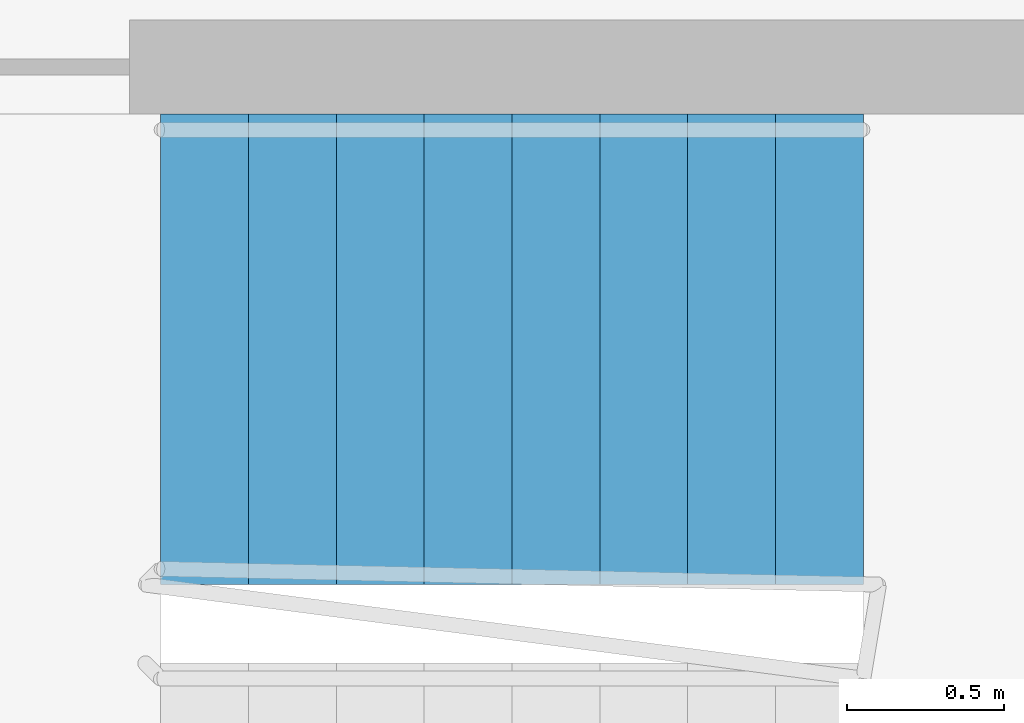
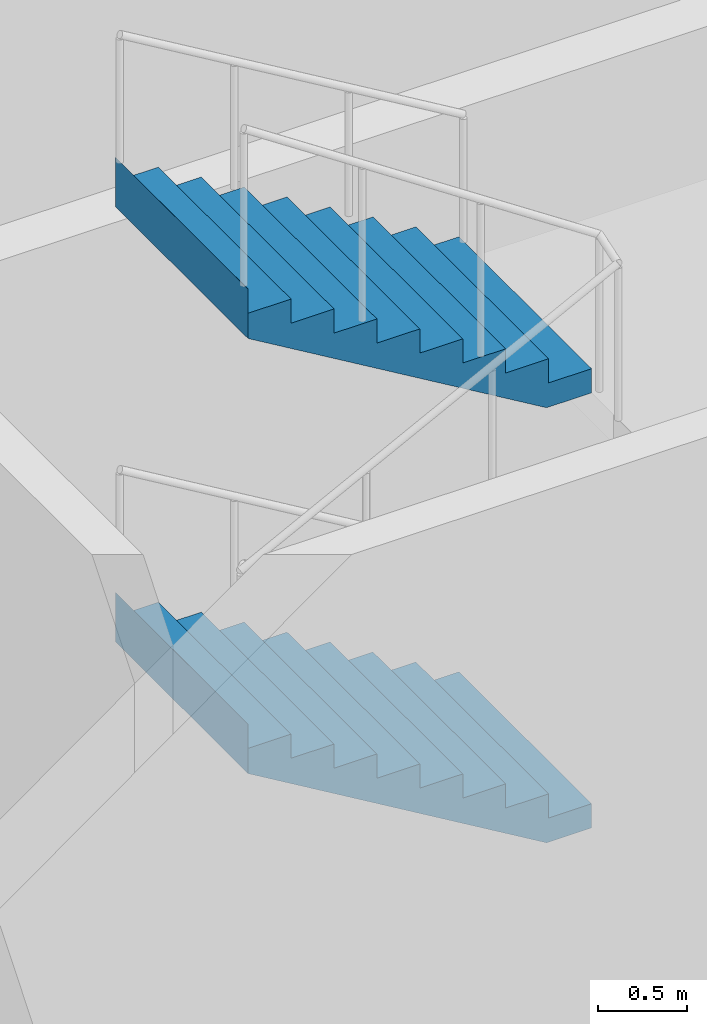
# One storey, part 23 of 27: 2 stair flights, 1 element without a shape of its own.
"""IFC4 building model written with IfcOpenShell, lengths in metres."""

from ifc_helpers import new_model, si_unit, direction, frame, origin, place, context, subcontext, project, spatial, faceted_brep, material, type_object, element, aggregate, save


model = new_model("IFC4")

# Units and contexts
model_context = context("Model", 3, precision=1e-05, world=origin(), true_north=direction((0.0, 1.0)))
body_context = subcontext(model_context, "Body", "Model", "MODEL_VIEW")
ifc_project = project(units=[si_unit("LENGTHUNIT", "METRE"), si_unit("AREAUNIT", "SQUARE_METRE"), si_unit("VOLUMEUNIT", "CUBIC_METRE"), si_unit("PLANEANGLEUNIT", "RADIAN"), si_unit("MASSUNIT", "GRAM", prefix="KILO")], contexts=[model_context])

# Site, building, storey
site_placement = place(None, origin())
site = spatial("IfcSite", under=ifc_project, at=site_placement, CompositionType="ELEMENT")
building_placement = place(site_placement, origin())
building = spatial("IfcBuilding", under=site, at=building_placement, Name="Kajstack Hotel Tower", CompositionType="ELEMENT")
storey_placement = place(building_placement, frame((0.0, 0.0, 11.0)))
storey = spatial("IfcBuildingStorey", under=building, at=storey_placement, Name="L01", CompositionType="ELEMENT", Elevation=11.0)

# Stair, stair flights
ifc_material = material(Name="Concrete C40/50", Category="concrete")
stair_type = type_object("IfcStairType", Name="Exit stair 1500", PredefinedType="HALF_TURN_STAIR", material=ifc_material)
stair_placement = place(storey_placement, origin())
stair = element("IfcStair", 1, at=stair_placement, inside=storey, type_object=stair_type, Name="L01 stair E3", PredefinedType="HALF_TURN_STAIR")
stair_flight_type = type_object("IfcStairFlightType", Name="Exit stair flight 1500", PredefinedType="STRAIGHT", material=ifc_material)
stair_flight_1_placement = place(storey_placement, frame((27.93994140625, 14.449951171875, 1.5), z_axis=(0.0, 0.0, 1.0), x_axis=(-1.0, 0.0, 0.0)))
stair_flight_1 = element("IfcStairFlight", 2, at=stair_flight_1_placement, type_object=stair_flight_type, Name="E3 flight 2", NumberOfRisers=9, NumberOfTreads=8, PredefinedType="STRAIGHT", RiserHeight=0.166666667, TreadLength=0.28, context=body_context, shape_type="Brep", body=[
    faceted_brep([(0.29345703125, -0.75, 0.0), (2.240478515625, -0.75, 1.158935546875), (2.240478515625, -0.75, 1.5), (2.239990234375, -0.75, 1.5), (2.239990234375, -0.75, 1.333251953125), (1.9599609375, -0.75, 1.333251953125), (1.9599609375, -0.75, 1.166748046875), (1.679931640625, -0.75, 1.166748046875), (1.679931640625, -0.75, 1.0), (1.39990234375, -0.75, 1.0), (1.39990234375, -0.75, 0.833251953125), (1.1201171875, -0.75, 0.833251953125), (1.1201171875, -0.75, 0.666748046875), (0.840087890625, -0.75, 0.666748046875), (0.840087890625, -0.75, 0.5), (0.56005859375, -0.75, 0.5), (0.56005859375, -0.75, 0.333251953125), (0.280029296875, -0.75, 0.333251953125), (0.280029296875, -0.75, 0.166748046875), (-0.00048828125, -0.75, 0.166748046875), (-0.00048828125, -0.75, 0.0), (-0.00048828125, 0.75, 0.0), (-0.00048828125, 0.75, 0.166748046875), (0.280029296875, 0.75, 0.166748046875), (0.280029296875, 0.75, 0.333251953125), (0.56005859375, 0.75, 0.333251953125), (0.56005859375, 0.75, 0.5), (0.840087890625, 0.75, 0.5), (0.840087890625, 0.75, 0.666748046875), (1.1201171875, 0.75, 0.666748046875), (1.1201171875, 0.75, 0.833251953125), (1.39990234375, 0.75, 0.833251953125), (1.39990234375, 0.75, 1.0), (1.679931640625, 0.75, 1.0), (1.679931640625, 0.75, 1.166748046875), (1.9599609375, 0.75, 1.166748046875), (1.9599609375, 0.75, 1.333251953125), (2.239990234375, 0.75, 1.333251953125), (2.239990234375, 0.75, 1.5), (2.240478515625, 0.75, 1.5), (2.240478515625, 0.75, 1.158935546875), (0.29345703125, 0.75, 0.0), (-0.00048828125, -0.375, 0.166748046875), (-0.00048828125, 0.0, 0.166748046875), (-0.00048828125, 0.375, 0.166748046875), (-0.00048828125, 0.375, 0.0), (-0.00048828125, 0.0, 0.0), (-0.00048828125, -0.375, 0.0), (0.280029296875, -0.375, 0.166748046875), (0.280029296875, 0.0, 0.166748046875), (0.280029296875, 0.375, 0.166748046875), (0.280029296875, -0.375, 0.333251953125), (0.280029296875, 0.0, 0.333251953125), (0.280029296875, 0.375, 0.333251953125), (0.56005859375, -0.375, 0.333251953125), (0.56005859375, 0.0, 0.333251953125), (0.56005859375, 0.375, 0.333251953125), (0.56005859375, -0.375, 0.5), (0.56005859375, 0.0, 0.5), (0.56005859375, 0.375, 0.5), (0.840087890625, -0.375, 0.5), (0.840087890625, 0.0, 0.5), (0.840087890625, 0.375, 0.5), (0.840087890625, -0.375, 0.666748046875), (0.840087890625, 0.0, 0.666748046875), (0.840087890625, 0.375, 0.666748046875), (1.1201171875, -0.375, 0.666748046875), (1.1201171875, 0.0, 0.666748046875), (1.1201171875, 0.375, 0.666748046875), (1.1201171875, -0.375, 0.833251953125), (1.1201171875, 0.0, 0.833251953125), (1.1201171875, 0.375, 0.833251953125), (1.39990234375, -0.375, 0.833251953125), (1.39990234375, 0.0, 0.833251953125), (1.39990234375, 0.375, 0.833251953125), (1.39990234375, -0.375, 1.0), (1.39990234375, 0.0, 1.0), (1.39990234375, 0.375, 1.0), (1.679931640625, -0.375, 1.0), (1.679931640625, 0.0, 1.0), (1.679931640625, 0.375, 1.0), (1.679931640625, -0.375, 1.166748046875), (1.679931640625, 0.0, 1.166748046875), (1.679931640625, 0.375, 1.166748046875), (1.9599609375, -0.375, 1.166748046875), (1.9599609375, 0.0, 1.166748046875), (1.9599609375, 0.375, 1.166748046875), (1.9599609375, -0.375, 1.333251953125), (1.9599609375, 0.0, 1.333251953125), (1.9599609375, 0.375, 1.333251953125), (2.239990234375, -0.375, 1.333251953125), (2.239990234375, 0.0, 1.333251953125), (2.239990234375, 0.375, 1.333251953125), (2.239990234375, -0.375, 1.5), (2.239990234375, 0.0, 1.5), (2.239990234375, 0.375, 1.5), (2.240478515625, -0.375, 1.5), (2.240478515625, 0.0, 1.5), (2.240478515625, 0.375, 1.5), (2.240478515625, -0.375, 1.158935546875), (2.240478515625, 0.0, 1.158935546875), (2.240478515625, 0.375, 1.158935546875), (0.29345703125, -0.375, 0.0), (0.29345703125, 0.0, 0.0), (0.29345703125, 0.375, 0.0)], [[[0, 1, 2, 3, 4, 5, 6, 7, 8, 9, 10, 11, 12, 13, 14, 15, 16, 17, 18, 19, 20]], [[21, 22, 23, 24, 25, 26, 27, 28, 29, 30, 31, 32, 33, 34, 35, 36, 37, 38, 39, 40, 41]], [[19, 42, 43, 44, 22, 21, 45, 46, 47, 20]], [[18, 48, 49, 50, 23, 22, 44, 43, 42, 19]], [[17, 51, 52, 53, 24, 23, 50, 49, 48, 18]], [[16, 54, 55, 56, 25, 24, 53, 52, 51, 17]], [[15, 57, 58, 59, 26, 25, 56, 55, 54, 16]], [[14, 60, 61, 62, 27, 26, 59, 58, 57, 15]], [[13, 63, 64, 65, 28, 27, 62, 61, 60, 14]], [[12, 66, 67, 68, 29, 28, 65, 64, 63, 13]], [[11, 69, 70, 71, 30, 29, 68, 67, 66, 12]], [[10, 72, 73, 74, 31, 30, 71, 70, 69, 11]], [[9, 75, 76, 77, 32, 31, 74, 73, 72, 10]], [[8, 78, 79, 80, 33, 32, 77, 76, 75, 9]], [[7, 81, 82, 83, 34, 33, 80, 79, 78, 8]], [[6, 84, 85, 86, 35, 34, 83, 82, 81, 7]], [[5, 87, 88, 89, 36, 35, 86, 85, 84, 6]], [[4, 90, 91, 92, 37, 36, 89, 88, 87, 5]], [[3, 93, 94, 95, 38, 37, 92, 91, 90, 4]], [[2, 96, 97, 98, 39, 38, 95, 94, 93, 3]], [[1, 99, 100, 101, 40, 39, 98, 97, 96, 2]], [[0, 102, 103, 104, 41, 40, 101, 100, 99, 1]], [[20, 47, 46, 45, 21, 41, 104, 103, 102, 0]]]),
])
stair_flight_2_placement = place(storey_placement, frame((27.93994140625, 14.449951171875, 4.5), z_axis=(0.0, 0.0, 1.0), x_axis=(-1.0, 0.0, 0.0)))
stair_flight_2 = element("IfcStairFlight", 3, at=stair_flight_2_placement, type_object=stair_flight_type, Name="E3 flight 4", NumberOfRisers=9, NumberOfTreads=8, PredefinedType="STRAIGHT", RiserHeight=0.166666667, TreadLength=0.28, context=body_context, shape_type="Brep", body=[
    faceted_brep([(0.29345703125, -0.75, 0.0), (2.240478515625, -0.75, 1.158935546875), (2.240478515625, -0.75, 1.5), (2.239990234375, -0.75, 1.5), (2.239990234375, -0.75, 1.333251953125), (1.9599609375, -0.75, 1.333251953125), (1.9599609375, -0.75, 1.166748046875), (1.679931640625, -0.75, 1.166748046875), (1.679931640625, -0.75, 1.0), (1.39990234375, -0.75, 1.0), (1.39990234375, -0.75, 0.833251953125), (1.1201171875, -0.75, 0.833251953125), (1.1201171875, -0.75, 0.666748046875), (0.840087890625, -0.75, 0.666748046875), (0.840087890625, -0.75, 0.5), (0.56005859375, -0.75, 0.5), (0.56005859375, -0.75, 0.333251953125), (0.280029296875, -0.75, 0.333251953125), (0.280029296875, -0.75, 0.166748046875), (-0.00048828125, -0.75, 0.166748046875), (-0.00048828125, -0.75, 0.0), (-0.00048828125, 0.75, 0.0), (-0.00048828125, 0.75, 0.166748046875), (0.280029296875, 0.75, 0.166748046875), (0.280029296875, 0.75, 0.333251953125), (0.56005859375, 0.75, 0.333251953125), (0.56005859375, 0.75, 0.5), (0.840087890625, 0.75, 0.5), (0.840087890625, 0.75, 0.666748046875), (1.1201171875, 0.75, 0.666748046875), (1.1201171875, 0.75, 0.833251953125), (1.39990234375, 0.75, 0.833251953125), (1.39990234375, 0.75, 1.0), (1.679931640625, 0.75, 1.0), (1.679931640625, 0.75, 1.166748046875), (1.9599609375, 0.75, 1.166748046875), (1.9599609375, 0.75, 1.333251953125), (2.239990234375, 0.75, 1.333251953125), (2.239990234375, 0.75, 1.5), (2.240478515625, 0.75, 1.5), (2.240478515625, 0.75, 1.158935546875), (0.29345703125, 0.75, 0.0), (-0.00048828125, -0.375, 0.166748046875), (-0.00048828125, 0.0, 0.166748046875), (-0.00048828125, 0.375, 0.166748046875), (-0.00048828125, 0.375, 0.0), (-0.00048828125, 0.0, 0.0), (-0.00048828125, -0.375, 0.0), (0.280029296875, -0.375, 0.166748046875), (0.280029296875, 0.0, 0.166748046875), (0.280029296875, 0.375, 0.166748046875), (0.280029296875, -0.375, 0.333251953125), (0.280029296875, 0.0, 0.333251953125), (0.280029296875, 0.375, 0.333251953125), (0.56005859375, -0.375, 0.333251953125), (0.56005859375, 0.0, 0.333251953125), (0.56005859375, 0.375, 0.333251953125), (0.56005859375, -0.375, 0.5), (0.56005859375, 0.0, 0.5), (0.56005859375, 0.375, 0.5), (0.840087890625, -0.375, 0.5), (0.840087890625, 0.0, 0.5), (0.840087890625, 0.375, 0.5), (0.840087890625, -0.375, 0.666748046875), (0.840087890625, 0.0, 0.666748046875), (0.840087890625, 0.375, 0.666748046875), (1.1201171875, -0.375, 0.666748046875), (1.1201171875, 0.0, 0.666748046875), (1.1201171875, 0.375, 0.666748046875), (1.1201171875, -0.375, 0.833251953125), (1.1201171875, 0.0, 0.833251953125), (1.1201171875, 0.375, 0.833251953125), (1.39990234375, -0.375, 0.833251953125), (1.39990234375, 0.0, 0.833251953125), (1.39990234375, 0.375, 0.833251953125), (1.39990234375, -0.375, 1.0), (1.39990234375, 0.0, 1.0), (1.39990234375, 0.375, 1.0), (1.679931640625, -0.375, 1.0), (1.679931640625, 0.0, 1.0), (1.679931640625, 0.375, 1.0), (1.679931640625, -0.375, 1.166748046875), (1.679931640625, 0.0, 1.166748046875), (1.679931640625, 0.375, 1.166748046875), (1.9599609375, -0.375, 1.166748046875), (1.9599609375, 0.0, 1.166748046875), (1.9599609375, 0.375, 1.166748046875), (1.9599609375, -0.375, 1.333251953125), (1.9599609375, 0.0, 1.333251953125), (1.9599609375, 0.375, 1.333251953125), (2.239990234375, -0.375, 1.333251953125), (2.239990234375, 0.0, 1.333251953125), (2.239990234375, 0.375, 1.333251953125), (2.239990234375, -0.375, 1.5), (2.239990234375, 0.0, 1.5), (2.239990234375, 0.375, 1.5), (2.240478515625, -0.375, 1.5), (2.240478515625, 0.0, 1.5), (2.240478515625, 0.375, 1.5), (2.240478515625, -0.375, 1.158935546875), (2.240478515625, 0.0, 1.158935546875), (2.240478515625, 0.375, 1.158935546875), (0.29345703125, -0.375, 0.0), (0.29345703125, 0.0, 0.0), (0.29345703125, 0.375, 0.0)], [[[0, 1, 2, 3, 4, 5, 6, 7, 8, 9, 10, 11, 12, 13, 14, 15, 16, 17, 18, 19, 20]], [[21, 22, 23, 24, 25, 26, 27, 28, 29, 30, 31, 32, 33, 34, 35, 36, 37, 38, 39, 40, 41]], [[19, 42, 43, 44, 22, 21, 45, 46, 47, 20]], [[18, 48, 49, 50, 23, 22, 44, 43, 42, 19]], [[17, 51, 52, 53, 24, 23, 50, 49, 48, 18]], [[16, 54, 55, 56, 25, 24, 53, 52, 51, 17]], [[15, 57, 58, 59, 26, 25, 56, 55, 54, 16]], [[14, 60, 61, 62, 27, 26, 59, 58, 57, 15]], [[13, 63, 64, 65, 28, 27, 62, 61, 60, 14]], [[12, 66, 67, 68, 29, 28, 65, 64, 63, 13]], [[11, 69, 70, 71, 30, 29, 68, 67, 66, 12]], [[10, 72, 73, 74, 31, 30, 71, 70, 69, 11]], [[9, 75, 76, 77, 32, 31, 74, 73, 72, 10]], [[8, 78, 79, 80, 33, 32, 77, 76, 75, 9]], [[7, 81, 82, 83, 34, 33, 80, 79, 78, 8]], [[6, 84, 85, 86, 35, 34, 83, 82, 81, 7]], [[5, 87, 88, 89, 36, 35, 86, 85, 84, 6]], [[4, 90, 91, 92, 37, 36, 89, 88, 87, 5]], [[3, 93, 94, 95, 38, 37, 92, 91, 90, 4]], [[2, 96, 97, 98, 39, 38, 95, 94, 93, 3]], [[1, 99, 100, 101, 40, 39, 98, 97, 96, 2]], [[0, 102, 103, 104, 41, 40, 101, 100, 99, 1]], [[20, 47, 46, 45, 21, 41, 104, 103, 102, 0]]]),
])
aggregate(stair, [stair_flight_1, stair_flight_2])

save(model, "model.ifc")
